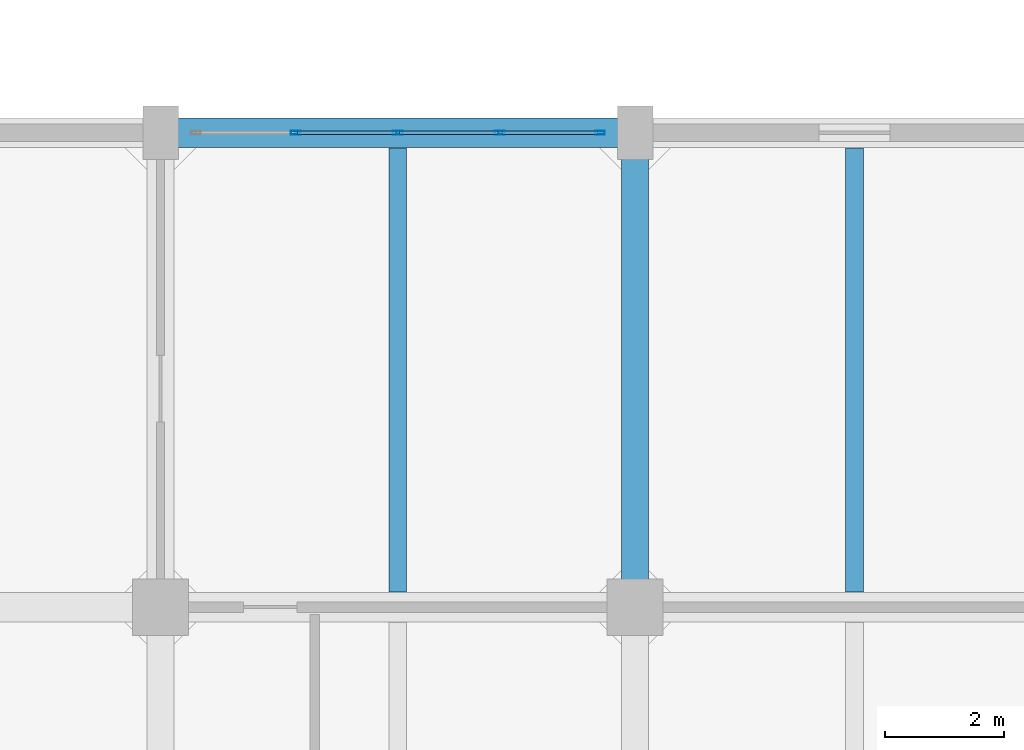
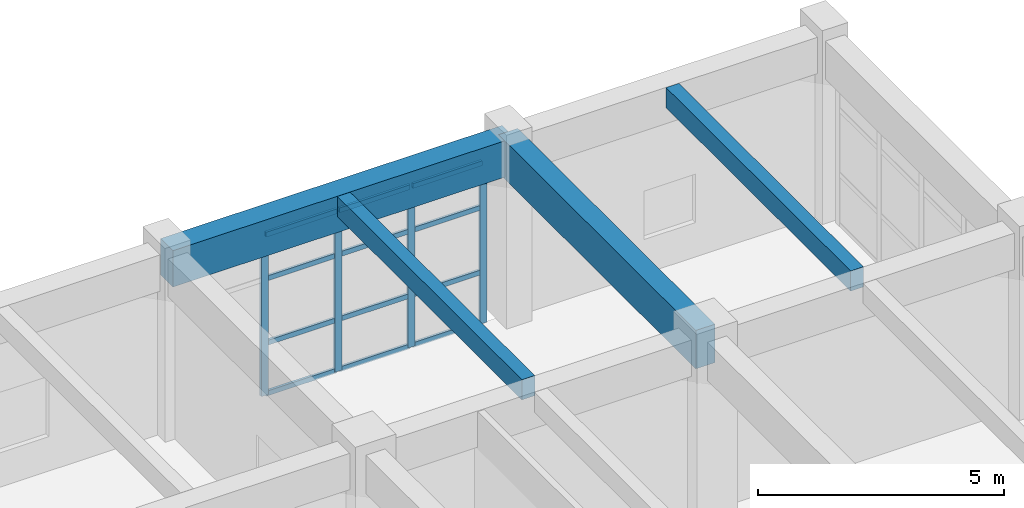
# One storey, part 196 of 248: 16 members, 4 beams, 1 element without a shape of its own.
"""IFC4 building model written with IfcOpenShell, lengths in metres."""

from ifc_helpers import new_model, si_unit, direction, frame, origin, origin_2d, place, context, subcontext, project, spatial, rectangle, hollow_rectangle, extrude, material, layer, layer_set, material_profile, profile_set, type_object, element, aggregate, save


model = new_model("IFC4")

# Units and contexts
model_context = context("Model", 3, precision=1e-05, world=origin(), true_north=direction((0.0, 1.0)))
body_context = subcontext(model_context, "Body", "Model", "MODEL_VIEW")
ifc_project = project(units=[si_unit("LENGTHUNIT", "METRE"), si_unit("AREAUNIT", "SQUARE_METRE"), si_unit("VOLUMEUNIT", "CUBIC_METRE"), si_unit("PLANEANGLEUNIT", "RADIAN"), si_unit("MASSUNIT", "GRAM", prefix="KILO")], contexts=[model_context])

# Site, building, storey
site_placement = place(None, origin())
site = spatial("IfcSite", under=ifc_project, at=site_placement, CompositionType="ELEMENT")
building_placement = place(site_placement, origin())
building = spatial("IfcBuilding", under=site, at=building_placement, Name="Canggui Botanical Conservatory", CompositionType="ELEMENT")
storey_placement = place(building_placement, frame((0.0, 0.0, 5.39990234375)))
storey = spatial("IfcBuildingStorey", under=building, at=storey_placement, Name="L02", CompositionType="ELEMENT", Elevation=5.39990234375)

# Beams
ifc_material_1 = material(Name="Concrete C35", Category="concrete")
ifc_material_profile_1 = material_profile(ifc_material_1, rectangle(XDim=0.300048828125, YDim=0.5, at=origin_2d()), Name="RB 300x500")
ifc_profile_set_1 = profile_set([ifc_material_profile_1], Name="Concrete C35")
beam_type_1 = type_object("IfcBeamType", Name="BM-JST02", PredefinedType="JOIST", material=ifc_profile_set_1)
for number, where, z_axis, x_axis, name in (
    (1, (166.0, 74.2548828125, 4.27001953125), (0.0, 1.0, 0.0), (-1.0, 0.0, 0.0), "Secondary Floor Joist L02-5-7"),
    (2, (173.699951171875, 74.2548828125, 4.27001953125), (0.0, 1.0, 0.0), (-1.0, 0.0, 0.0), "Secondary Floor Joist L02-6-7"),
):
    element("IfcBeam", number, at=place(storey_placement, frame(where, z_axis=z_axis, x_axis=x_axis)), inside=storey, type_object=beam_type_1, Name=name, PredefinedType="JOIST", context=body_context, shape_type="SweptSolid", body=[
        extrude(rectangle(XDim=0.300048828125, YDim=0.5, at=origin_2d()), origin(), (0.0, 0.0, 1.0), 7.490234375),
    ])
ifc_material_profile_2 = material_profile(ifc_material_1, rectangle(XDim=0.5, YDim=0.89990234375, at=origin_2d()), Name="RB 500x900")
ifc_profile_set_2 = profile_set([ifc_material_profile_2], Name="Concrete C35")
beam_type_2 = type_object("IfcBeamType", Name="BM-KL03", PredefinedType="BEAM", material=ifc_profile_set_2)
beam_1_placement = place(storey_placement, frame((162.0, 82.0, 4.070068359375), z_axis=(1.0, 0.0, 0.0), x_axis=(0.0, 1.0, 0.0)))
element("IfcBeam", 3, at=beam_1_placement, inside=storey, type_object=beam_type_2, Name="Frame Girder L02 Y82-5", PredefinedType="BEAM", context=body_context, shape_type="SweptSolid", body=[
    extrude(rectangle(XDim=0.5, YDim=0.89990234375, at=origin_2d()), origin(), (0.0, 0.0, 1.0), 8.0),
])
ifc_material_profile_3 = material_profile(ifc_material_1, rectangle(XDim=0.449951171875, YDim=0.949951171875, at=origin_2d()), Name="RB 450x950")
ifc_profile_set_3 = profile_set([ifc_material_profile_3], Name="Concrete C35")
beam_type_3 = type_object("IfcBeamType", Name="BM-KL04", PredefinedType="BEAM", material=ifc_profile_set_3)
beam_2_placement = place(storey_placement, frame((170.0, 74.0, 4.045166015625), z_axis=(0.0, 1.0, 0.0), x_axis=(-1.0, 0.0, 0.0)))
element("IfcBeam", 4, at=beam_2_placement, inside=storey, type_object=beam_type_3, Name="Frame Girder L02 X170-7", PredefinedType="BEAM", context=body_context, shape_type="SweptSolid", body=[
    extrude(rectangle(XDim=0.449951171875, YDim=0.949951171875, at=origin_2d()), origin(), (0.0, 0.0, 1.0), 8.0),
])

# Curtain wall, members
ifc_material_2 = material(Name="Thermally Broken Aluminium", Category="aluminium")
ifc_layer = layer(ifc_material_2, 0.1650390625, Name="Thermally Broken Aluminium", Category="aluminium")
ifc_layer_set = layer_set([ifc_layer], Name="Thermally Broken Aluminium")
curtain_wall_type = type_object("IfcCurtainWallType", Name="CW-UNIT-B", PredefinedType="USERDEFINED", material=ifc_layer_set)
curtain_wall_placement = place(storey_placement, origin())
curtain_wall = element("IfcCurtainWall", 5, at=curtain_wall_placement, inside=storey, type_object=curtain_wall_type, Name="Facade Curtain Wall CW-TWR-L02-18", ObjectType="UNITISED CURTAIN WALL", PredefinedType="USERDEFINED")
ifc_material_profile_4 = material_profile(ifc_material_2, hollow_rectangle(XDim=0.06494140625, YDim=0.1650390625, WallThickness=0.00390625, at=origin_2d()), Name="CWM 65x165x4")
ifc_profile_set_4 = profile_set([ifc_material_profile_4], Name="Thermally Broken Aluminium")
member_type_1 = type_object("IfcMemberType", Name="CWM-02", PredefinedType="MULLION", material=ifc_profile_set_4)
member_1_placement = place(storey_placement, frame((164.280029296875, 82.0, 0.0), z_axis=(0.0, 0.0, 1.0), x_axis=(0.0, 1.0, 0.0)))
member_1 = element("IfcMember", 6, at=member_1_placement, type_object=member_type_1, Name="CW-02 mullion 2", PredefinedType="MULLION", context=body_context, shape_type="SweptSolid", body=[
    extrude(hollow_rectangle(XDim=0.06494140625, YDim=0.1650390625, WallThickness=0.00390625, at=origin_2d()), origin(), (0.0, 0.0, 1.0), 4.0),
])
member_2_placement = place(storey_placement, frame((166.0, 82.0, 0.0), z_axis=(0.0, 0.0, 1.0), x_axis=(0.0, 1.0, 0.0)))
member_2 = element("IfcMember", 7, at=member_2_placement, type_object=member_type_1, Name="CW-02 mullion 3", PredefinedType="MULLION", context=body_context, shape_type="SweptSolid", body=[
    extrude(hollow_rectangle(XDim=0.06494140625, YDim=0.1650390625, WallThickness=0.00390625, at=origin_2d()), origin(), (0.0, 0.0, 1.0), 4.0),
])
member_3_placement = place(storey_placement, frame((167.719970703125, 82.0, 0.0), z_axis=(0.0, 0.0, 1.0), x_axis=(0.0, 1.0, 0.0)))
member_3 = element("IfcMember", 8, at=member_3_placement, type_object=member_type_1, Name="CW-02 mullion 4", PredefinedType="MULLION", context=body_context, shape_type="SweptSolid", body=[
    extrude(hollow_rectangle(XDim=0.06494140625, YDim=0.1650390625, WallThickness=0.00390625, at=origin_2d()), origin(), (0.0, 0.0, 1.0), 4.0),
])
member_4_placement = place(storey_placement, frame((169.407470703125, 82.0, 0.0), z_axis=(0.0, 0.0, 1.0), x_axis=(0.0, 1.0, 0.0)))
member_4 = element("IfcMember", 9, at=member_4_placement, type_object=member_type_1, Name="CW-02 mullion 5", PredefinedType="MULLION", context=body_context, shape_type="SweptSolid", body=[
    extrude(hollow_rectangle(XDim=0.06494140625, YDim=0.1650390625, WallThickness=0.00390625, at=origin_2d()), origin(), (0.0, 0.0, 1.0), 4.0),
])
ifc_material_profile_5 = material_profile(ifc_material_2, hollow_rectangle(XDim=0.06005859375, YDim=0.1201171875, WallThickness=0.00341796875, at=origin_2d()), Name="CWT 60x120x3.5")
ifc_profile_set_5 = profile_set([ifc_material_profile_5], Name="Thermally Broken Aluminium")
member_type_2 = type_object("IfcMemberType", Name="CWT-02", PredefinedType="USERDEFINED", material=ifc_profile_set_5)
member_5_placement = place(storey_placement, frame((164.3125, 82.0, 0.030029296875), z_axis=(1.0, 0.0, 0.0), x_axis=(0.0, 1.0, 0.0)))
member_5 = element("IfcMember", 10, at=member_5_placement, type_object=member_type_2, Name="CW-02 transom 2.1", ObjectType="TRANSOM", PredefinedType="USERDEFINED", context=body_context, shape_type="SweptSolid", body=[
    extrude(hollow_rectangle(XDim=0.06005859375, YDim=0.1201171875, WallThickness=0.00341796875, at=origin_2d()), origin(), (0.0, 0.0, 1.0), 1.655029296875),
])
member_6_placement = place(storey_placement, frame((164.3125, 82.0, 1.280029296875), z_axis=(1.0, 0.0, 0.0), x_axis=(0.0, 1.0, 0.0)))
member_6 = element("IfcMember", 11, at=member_6_placement, type_object=member_type_2, Name="CW-02 transom 2.2", ObjectType="TRANSOM", PredefinedType="USERDEFINED", context=body_context, shape_type="SweptSolid", body=[
    extrude(hollow_rectangle(XDim=0.06005859375, YDim=0.1201171875, WallThickness=0.00341796875, at=origin_2d()), origin(), (0.0, 0.0, 1.0), 1.655029296875),
])
member_7_placement = place(storey_placement, frame((164.3125, 82.0, 2.880126953125), z_axis=(1.0, 0.0, 0.0), x_axis=(0.0, 1.0, 0.0)))
member_7 = element("IfcMember", 12, at=member_7_placement, type_object=member_type_2, Name="CW-02 transom 2.3", ObjectType="TRANSOM", PredefinedType="USERDEFINED", context=body_context, shape_type="SweptSolid", body=[
    extrude(hollow_rectangle(XDim=0.06005859375, YDim=0.1201171875, WallThickness=0.00341796875, at=origin_2d()), origin(), (0.0, 0.0, 1.0), 1.655029296875),
])
member_8_placement = place(storey_placement, frame((164.3125, 82.0, 3.97021484375), z_axis=(1.0, 0.0, 0.0), x_axis=(0.0, 1.0, 0.0)))
member_8 = element("IfcMember", 13, at=member_8_placement, type_object=member_type_2, Name="CW-02 transom 2.4", ObjectType="TRANSOM", PredefinedType="USERDEFINED", context=body_context, shape_type="SweptSolid", body=[
    extrude(hollow_rectangle(XDim=0.06005859375, YDim=0.1201171875, WallThickness=0.00341796875, at=origin_2d()), origin(), (0.0, 0.0, 1.0), 1.655029296875),
])
member_9_placement = place(storey_placement, frame((166.032470703125, 82.0, 0.030029296875), z_axis=(1.0, 0.0, 0.0), x_axis=(0.0, 1.0, 0.0)))
member_9 = element("IfcMember", 14, at=member_9_placement, type_object=member_type_2, Name="CW-02 transom 3.1", ObjectType="TRANSOM", PredefinedType="USERDEFINED", context=body_context, shape_type="SweptSolid", body=[
    extrude(hollow_rectangle(XDim=0.06005859375, YDim=0.1201171875, WallThickness=0.00341796875, at=origin_2d()), origin(), (0.0, 0.0, 1.0), 1.655029296875),
])
member_10_placement = place(storey_placement, frame((166.032470703125, 82.0, 1.280029296875), z_axis=(1.0, 0.0, 0.0), x_axis=(0.0, 1.0, 0.0)))
member_10 = element("IfcMember", 15, at=member_10_placement, type_object=member_type_2, Name="CW-02 transom 3.2", ObjectType="TRANSOM", PredefinedType="USERDEFINED", context=body_context, shape_type="SweptSolid", body=[
    extrude(hollow_rectangle(XDim=0.06005859375, YDim=0.1201171875, WallThickness=0.00341796875, at=origin_2d()), origin(), (0.0, 0.0, 1.0), 1.655029296875),
])
member_11_placement = place(storey_placement, frame((166.032470703125, 82.0, 2.880126953125), z_axis=(1.0, 0.0, 0.0), x_axis=(0.0, 1.0, 0.0)))
member_11 = element("IfcMember", 16, at=member_11_placement, type_object=member_type_2, Name="CW-02 transom 3.3", ObjectType="TRANSOM", PredefinedType="USERDEFINED", context=body_context, shape_type="SweptSolid", body=[
    extrude(hollow_rectangle(XDim=0.06005859375, YDim=0.1201171875, WallThickness=0.00341796875, at=origin_2d()), origin(), (0.0, 0.0, 1.0), 1.655029296875),
])
member_12_placement = place(storey_placement, frame((166.032470703125, 82.0, 3.97021484375), z_axis=(1.0, 0.0, 0.0), x_axis=(0.0, 1.0, 0.0)))
member_12 = element("IfcMember", 17, at=member_12_placement, type_object=member_type_2, Name="CW-02 transom 3.4", ObjectType="TRANSOM", PredefinedType="USERDEFINED", context=body_context, shape_type="SweptSolid", body=[
    extrude(hollow_rectangle(XDim=0.06005859375, YDim=0.1201171875, WallThickness=0.00341796875, at=origin_2d()), origin(), (0.0, 0.0, 1.0), 1.655029296875),
])
member_13_placement = place(storey_placement, frame((167.75244140625, 82.0, 0.030029296875), z_axis=(1.0, 0.0, 0.0), x_axis=(0.0, 1.0, 0.0)))
member_13 = element("IfcMember", 18, at=member_13_placement, type_object=member_type_2, Name="CW-02 transom 4.1", ObjectType="TRANSOM", PredefinedType="USERDEFINED", context=body_context, shape_type="SweptSolid", body=[
    extrude(hollow_rectangle(XDim=0.06005859375, YDim=0.1201171875, WallThickness=0.00341796875, at=origin_2d()), origin(), (0.0, 0.0, 1.0), 1.62255859375),
])
member_14_placement = place(storey_placement, frame((167.75244140625, 82.0, 1.280029296875), z_axis=(1.0, 0.0, 0.0), x_axis=(0.0, 1.0, 0.0)))
member_14 = element("IfcMember", 19, at=member_14_placement, type_object=member_type_2, Name="CW-02 transom 4.2", ObjectType="TRANSOM", PredefinedType="USERDEFINED", context=body_context, shape_type="SweptSolid", body=[
    extrude(hollow_rectangle(XDim=0.06005859375, YDim=0.1201171875, WallThickness=0.00341796875, at=origin_2d()), origin(), (0.0, 0.0, 1.0), 1.62255859375),
])
member_15_placement = place(storey_placement, frame((167.75244140625, 82.0, 2.880126953125), z_axis=(1.0, 0.0, 0.0), x_axis=(0.0, 1.0, 0.0)))
member_15 = element("IfcMember", 20, at=member_15_placement, type_object=member_type_2, Name="CW-02 transom 4.3", ObjectType="TRANSOM", PredefinedType="USERDEFINED", context=body_context, shape_type="SweptSolid", body=[
    extrude(hollow_rectangle(XDim=0.06005859375, YDim=0.1201171875, WallThickness=0.00341796875, at=origin_2d()), origin(), (0.0, 0.0, 1.0), 1.62255859375),
])
member_16_placement = place(storey_placement, frame((167.75244140625, 82.0, 3.97021484375), z_axis=(1.0, 0.0, 0.0), x_axis=(0.0, 1.0, 0.0)))
member_16 = element("IfcMember", 21, at=member_16_placement, type_object=member_type_2, Name="CW-02 transom 4.4", ObjectType="TRANSOM", PredefinedType="USERDEFINED", context=body_context, shape_type="SweptSolid", body=[
    extrude(hollow_rectangle(XDim=0.06005859375, YDim=0.1201171875, WallThickness=0.00341796875, at=origin_2d()), origin(), (0.0, 0.0, 1.0), 1.62255859375),
])
aggregate(curtain_wall, [member_1, member_2, member_3, member_4, member_5, member_6, member_7, member_8, member_9, member_10, member_11, member_12, member_13, member_14, member_15, member_16])

save(model, "model.ifc")
